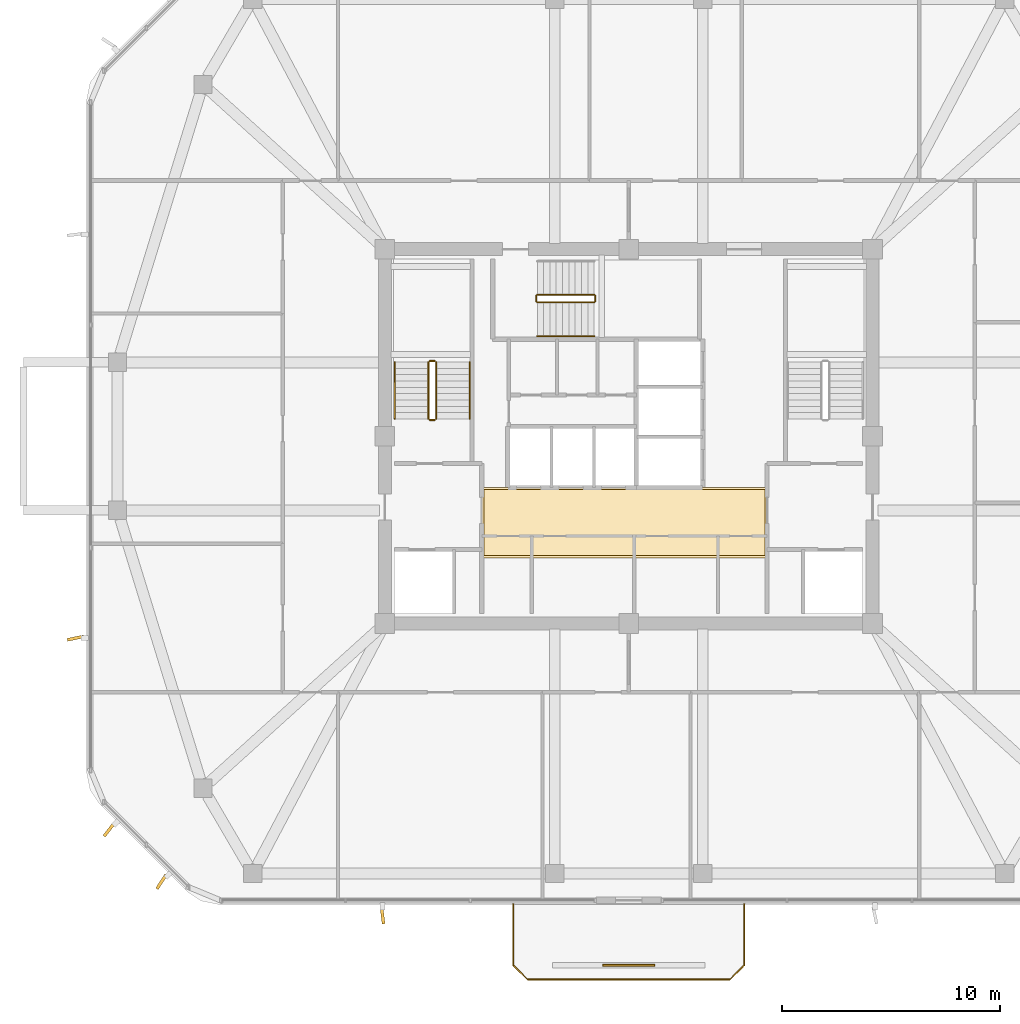
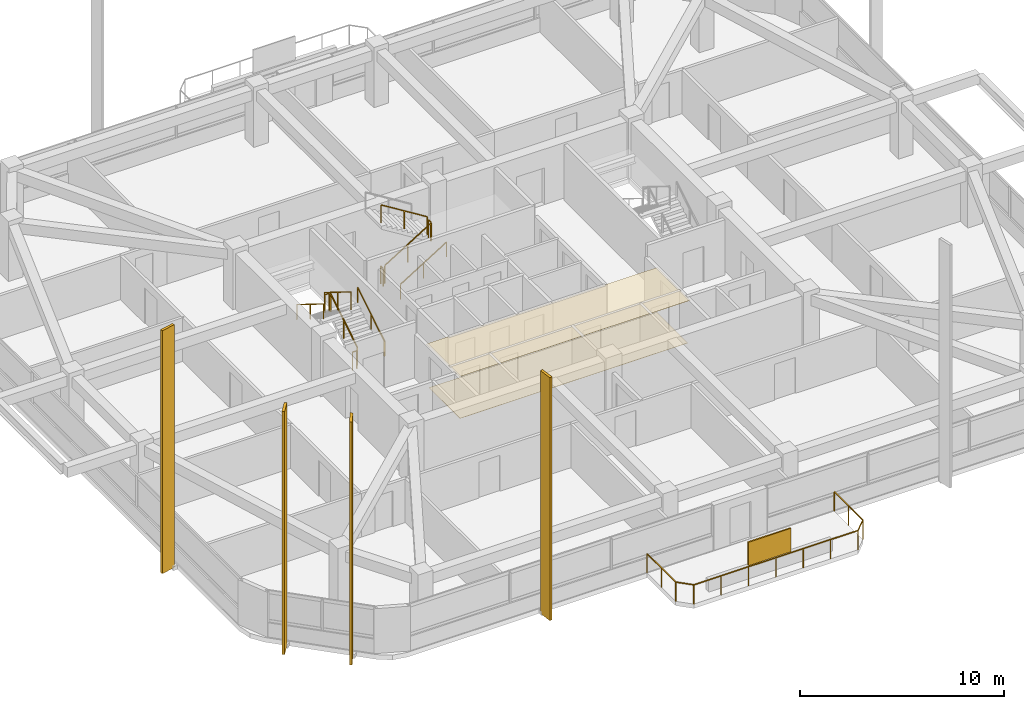
# One storey, part 11 of 13: 12 railings, 5 shading devices, 2 coverings.
"""IFC4 building model written with IfcOpenShell, lengths in metres."""

from ifc_helpers import new_model, si_unit, derived_unit, direction, frame, origin, origin_2d, place, context, subcontext, project, spatial, polyline, rectangle, outline, extrude, material, layer, layer_set, type_object, element, save


model = new_model("IFC4")

# Units and contexts
model_context = context("Model", 3, precision=1e-05, world=origin(), true_north=direction((0.0, 1.0)))
body_context = subcontext(model_context, "Body", "Model", "MODEL_VIEW")
ifc_project = project(units=[si_unit("LENGTHUNIT", "METRE"), si_unit("AREAUNIT", "SQUARE_METRE"), si_unit("VOLUMEUNIT", "CUBIC_METRE"), si_unit("PLANEANGLEUNIT", "RADIAN"), si_unit("MASSUNIT", "GRAM", prefix="KILO"), derived_unit("THERMALTRANSMITTANCEUNIT", [(si_unit("POWERUNIT", "WATT"), 1), (si_unit("LENGTHUNIT", "METRE"), -2), (si_unit("THERMODYNAMICTEMPERATUREUNIT", "KELVIN"), -1)])], contexts=[model_context])

# Site, building, storey
site_placement = place(None, origin())
site = spatial("IfcSite", under=ifc_project, at=site_placement, CompositionType="ELEMENT")
building_placement = place(site_placement, origin())
building = spatial("IfcBuilding", under=site, at=building_placement, Name="Koralith Skygarden Medical Center", CompositionType="ELEMENT")
storey_placement = place(building_placement, frame((0.0, 0.0, 253.6201171875)))
storey = spatial("IfcBuildingStorey", under=building, at=storey_placement, Name="L65", CompositionType="ELEMENT", Elevation=253.6201171875)

# Covering
ifc_material_1 = material(Name="Acoustic Mineral Tile")
ifc_layer_1 = layer(ifc_material_1, 0.02001953125)
ifc_layer_set_1 = layer_set([ifc_layer_1], Name="Acoustic Mineral Tile")
covering_type_1 = type_object("IfcCoveringType", Name="Acoustic Hygienic Mineral Ceiling 20", PredefinedType="CEILING", material=ifc_layer_set_1)
covering_1_placement = place(storey_placement, frame((0.0, 0.0, 2.5849609375)))
element("IfcCovering", 1, at=covering_1_placement, inside=storey, type_object=covering_type_1, Name="L65 Core Lobby Acoustic Ceiling", PredefinedType="CEILING", context=body_context, shape_type="SweptSolid", body=[
    extrude(outline(polyline([(30.25, 20.320068359375), (43.35009765625, 20.320068359375), (43.35009765625, 23.56005859375), (30.25, 23.56005859375), (30.25, 20.320068359375)])), origin(), (0.0, 0.0, 1.0), 0.02001953125),
])

# Shading devices
ifc_material_2 = material(Name="Aluminium 6063-T6", Category="aluminium")
shading_device_type_1 = type_object("IfcShadingDeviceType", Name="Limestone-Clad Solar Storm Fin 780", PredefinedType="USERDEFINED", material=ifc_material_2)
for number, where, z_axis, x_axis, name in (
    (2, (25.68994140625, 3.889892578125, -0.2001953125), (0.0, 0.0, 1.0), (0.123999814342, -0.992282241121, 0.0), "L65 S Harmonic Solar Storm Fin 1"),
    (3, (11.590087890625, 16.6298828125, -0.2001953125), (0.0, 0.0, 1.0), (-0.977936632473, -0.208901754101, 0.0), "L65 W Harmonic Solar Storm Fin 2"),
    (4, (13.139892578125, 7.837890625, -0.2001953125), (0.0, 0.0, 1.0), (-0.613968391961, -0.789330611134, 0.0), "L65 SW Harmonic Solar Storm Fin 1"),
    (5, (15.5380859375, 5.43994140625, -0.2001953125), (0.0, 0.0, 1.0), (-0.543789777466, -0.83922147132, 0.0), "L65 SW Harmonic Solar Storm Fin 2"),
):
    element("IfcShadingDevice", number, at=place(storey_placement, frame(where, z_axis=z_axis, x_axis=x_axis)), inside=storey, type_object=shading_device_type_1, Name=name, ObjectType="SOLAR FIN", PredefinedType="USERDEFINED", context=body_context, shape_type="SweptSolid", body=[
        extrude(rectangle(XDim=0.780029296875, YDim=0.139892578125, at=origin_2d()), origin(), (0.0, 0.0, 1.0), 14.550048828125),
    ])

# Railing
ifc_material_3 = material(Name="Steel ASTM A500 Grade C", Category="steel")
railing_type_1 = type_object("IfcRailingType", Name="Outdoor Terrace & Balcony Safety Guardrail 1180", PredefinedType="GUARDRAIL", material=ifc_material_3)
railing_1_placement = place(storey_placement, frame((31.699951171875, 4.39990234375, 0.0)))
element("IfcRailing", 6, at=railing_1_placement, inside=storey, type_object=railing_type_1, Name="L65 S Balcony Perimeter Guardrail", PredefinedType="GUARDRAIL", context=body_context, shape_type="SweptSolid", body=[
    extrude(rectangle(XDim=0.050048828125, YDim=0.050048828125, at=origin_2d()), frame((0.0, -0.001953125, 1.15478515625), z_axis=(0.0, -1.0, 0.0), x_axis=(1.0, 0.0, 0.0)), (0.0, 0.0, 1.0), 2.7958984375),
    extrude(rectangle(XDim=0.050048828125, YDim=0.050048828125, at=origin_2d()), frame((0.00146484375, -2.80126953125, 1.15478515625), z_axis=(0.707106781187, -0.707106781187, 0.0), x_axis=(0.707106781187, 0.707106781187, 0.0)), (0.0, 0.0, 1.0), 0.91552734375),
    extrude(rectangle(XDim=0.050048828125, YDim=0.050048828125, at=origin_2d()), frame((0.652099609375, -3.449951171875, 1.15478515625), z_axis=(1.0, 0.0, 0.0), x_axis=(0.0, 1.0, 0.0)), (0.0, 0.0, 1.0), 9.2958984375),
    extrude(rectangle(XDim=0.050048828125, YDim=0.050048828125, at=origin_2d()), frame((9.951416015625, -3.448486328125, 1.15478515625), z_axis=(0.707106781187, 0.707106781187, 0.0), x_axis=(-0.707106781187, 0.707106781187, 0.0)), (0.0, 0.0, 1.0), 0.91552734375),
    extrude(rectangle(XDim=0.050048828125, YDim=0.050048828125, at=origin_2d()), frame((10.60009765625, -2.7978515625, 1.15478515625), z_axis=(0.0, 1.0, 0.0), x_axis=(-1.0, 0.0, 0.0)), (0.0, 0.0, 1.0), 2.7958984375),
    extrude(rectangle(XDim=0.0419921875, YDim=0.0419921875, at=origin_2d()), origin(), (0.0, 0.0, 1.0), 1.1279296875),
    extrude(rectangle(XDim=0.0419921875, YDim=0.0419921875, at=origin_2d()), frame((0.0, -1.39990234375, 0.0)), (0.0, 0.0, 1.0), 1.1279296875),
    extrude(rectangle(XDim=0.0419921875, YDim=0.0419921875, at=origin_2d()), frame((0.0, -2.7998046875, 0.0)), (0.0, 0.0, 1.0), 1.1279296875),
    extrude(rectangle(XDim=0.0419921875, YDim=0.0419921875, at=origin_2d()), frame((0.650146484375, -3.449951171875, 0.0)), (0.0, 0.0, 1.0), 1.1279296875),
    extrude(rectangle(XDim=0.0419921875, YDim=0.0419921875, at=origin_2d()), frame((2.2001953125, -3.449951171875, 0.0)), (0.0, 0.0, 1.0), 1.1279296875),
    extrude(rectangle(XDim=0.0419921875, YDim=0.0419921875, at=origin_2d()), frame((3.75, -3.449951171875, 0.0)), (0.0, 0.0, 1.0), 1.1279296875),
    extrude(rectangle(XDim=0.0419921875, YDim=0.0419921875, at=origin_2d()), frame((5.300048828125, -3.449951171875, 0.0)), (0.0, 0.0, 1.0), 1.1279296875),
    extrude(rectangle(XDim=0.0419921875, YDim=0.0419921875, at=origin_2d()), frame((6.85009765625, -3.449951171875, 0.0)), (0.0, 0.0, 1.0), 1.1279296875),
    extrude(rectangle(XDim=0.0419921875, YDim=0.0419921875, at=origin_2d()), frame((8.39990234375, -3.449951171875, 0.0)), (0.0, 0.0, 1.0), 1.1279296875),
    extrude(rectangle(XDim=0.0419921875, YDim=0.0419921875, at=origin_2d()), frame((9.949951171875, -3.449951171875, 0.0)), (0.0, 0.0, 1.0), 1.1279296875),
    extrude(rectangle(XDim=0.0419921875, YDim=0.0419921875, at=origin_2d()), frame((10.60009765625, -2.7998046875, 0.0)), (0.0, 0.0, 1.0), 1.1279296875),
    extrude(rectangle(XDim=0.0419921875, YDim=0.0419921875, at=origin_2d()), frame((10.60009765625, -1.39990234375, 0.0)), (0.0, 0.0, 1.0), 1.1279296875),
    extrude(rectangle(XDim=0.0419921875, YDim=0.0419921875, at=origin_2d()), frame((10.60009765625, 0.0, 0.0)), (0.0, 0.0, 1.0), 1.1279296875),
])

# Shading device
ifc_layer_2 = layer(ifc_material_2, 0.080078125)
ifc_layer_set_2 = layer_set([ifc_layer_2], Name="Aluminium 6063-T6")
shading_device_type_2 = type_object("IfcShadingDeviceType", Name="Perforated Biophilic Balcony Trellis Screen", PredefinedType="USERDEFINED", material=ifc_layer_set_2)
shading_device_placement = place(storey_placement, frame((37.0, 1.60009765625, 0.719970703125), z_axis=(0.0, 0.0, 1.0), x_axis=(1.0, 0.0, 0.0)))
element("IfcShadingDevice", 7, at=shading_device_placement, inside=storey, type_object=shading_device_type_2, Name="L65 S Biophilic Balcony Trellis Screen", ObjectType="HURRICANE SCREEN", PredefinedType="USERDEFINED", context=body_context, shape_type="SweptSolid", body=[
    extrude(rectangle(XDim=2.39990234375, YDim=0.080078125, at=origin_2d()), origin(), (0.0, 0.0, 1.0), 1.39990234375),
])

# Covering
ifc_material_4 = material(Name="Medical Terrazzo Flooring")
ifc_layer_3 = layer(ifc_material_4, 0.014892578125)
ifc_layer_set_3 = layer_set([ifc_layer_3], Name="Medical Terrazzo Flooring")
covering_type_2 = type_object("IfcCoveringType", Name="Seamless Antimicrobial Terrazzo Flooring 15", PredefinedType="FLOORING", material=ifc_layer_set_3)
covering_2_placement = place(storey_placement, origin())
element("IfcCovering", 8, at=covering_2_placement, inside=storey, type_object=covering_type_2, Name="L65 Core Lobby Terrazzo Flooring", PredefinedType="FLOORING", context=body_context, shape_type="SweptSolid", body=[
    extrude(outline(polyline([(30.35009765625, 20.419921875), (43.25, 20.419921875), (43.25, 23.4599609375), (30.35009765625, 23.4599609375), (30.35009765625, 20.419921875)])), origin(), (0.0, 0.0, 1.0), 0.014892578125),
])

# Railings
railing_type_2 = type_object("IfcRailingType", Name="Stair Flight Tubular Handrail 920", PredefinedType="HANDRAIL", material=ifc_material_3)
railing_2_placement = place(storey_placement, frame((29.699951171875, 26.699951171875, 0.179931640625)))
element("IfcRailing", 9, at=railing_2_placement, inside=storey, type_object=railing_type_2, Name="L65 ST1 stair handrail 1", PredefinedType="HANDRAIL", context=body_context, shape_type="SweptSolid", body=[
    extrude(rectangle(XDim=0.050048828125, YDim=0.050048828125, at=origin_2d()), frame((0.0, 0.001708984375, 0.89599609375), z_axis=(0.0, 0.849668407637, 0.527317358963), x_axis=(-1.0, 0.0, 0.0)), (0.0, 0.0, 1.0), 3.06787109375),
    extrude(rectangle(XDim=0.0419921875, YDim=0.0419921875, at=origin_2d()), origin(), (0.0, 0.0, 1.0), 0.867919921875),
    extrude(rectangle(XDim=0.0419921875, YDim=0.0419921875, at=origin_2d()), frame((0.0, 1.30517578125, 0.81005859375)), (0.0, 0.0, 1.0), 0.867919921875),
    extrude(rectangle(XDim=0.0419921875, YDim=0.0419921875, at=origin_2d()), frame((0.0, 2.610107421875, 1.619873046875)), (0.0, 0.0, 1.0), 0.867919921875),
])
railing_3_placement = place(storey_placement, frame((26.25, 29.31005859375, 1.97998046875)))
element("IfcRailing", 10, at=railing_3_placement, inside=storey, type_object=railing_type_2, Name="L65 ST1 stair handrail 2", PredefinedType="HANDRAIL", context=body_context, shape_type="SweptSolid", body=[
    extrude(rectangle(XDim=0.050048828125, YDim=0.050048828125, at=origin_2d()), frame((0.0, -0.001708984375, 0.89599609375), z_axis=(0.0, -0.849668407637, 0.527317358963), x_axis=(1.0, 0.0, 0.0)), (0.0, 0.0, 1.0), 3.06787109375),
    extrude(rectangle(XDim=0.0419921875, YDim=0.0419921875, at=origin_2d()), origin(), (0.0, 0.0, 1.0), 0.867919921875),
    extrude(rectangle(XDim=0.0419921875, YDim=0.0419921875, at=origin_2d()), frame((0.0, -1.30517578125, 0.81005859375)), (0.0, 0.0, 1.0), 0.867919921875),
    extrude(rectangle(XDim=0.0419921875, YDim=0.0419921875, at=origin_2d()), frame((0.0, -2.610107421875, 1.619873046875)), (0.0, 0.0, 1.0), 0.867919921875),
])
railing_4_placement = place(storey_placement, frame((32.800048828125, 30.5, 0.179931640625)))
element("IfcRailing", 11, at=railing_4_placement, inside=storey, type_object=railing_type_2, Name="L65 ST3 stair handrail 1", PredefinedType="HANDRAIL", context=body_context, shape_type="SweptSolid", body=[
    extrude(rectangle(XDim=0.050048828125, YDim=0.050048828125, at=origin_2d()), frame((0.001708984375, 0.0, 0.89599609375), z_axis=(0.849646306263, 0.0, 0.527352969322), x_axis=(0.0, 1.0, 0.0)), (0.0, 0.0, 1.0), 3.067626953125),
    extrude(rectangle(XDim=0.0419921875, YDim=0.0419921875, at=origin_2d()), origin(), (0.0, 0.0, 1.0), 0.867919921875),
    extrude(rectangle(XDim=0.0419921875, YDim=0.0419921875, at=origin_2d()), frame((1.304931640625, 0.0, 0.81005859375)), (0.0, 0.0, 1.0), 0.867919921875),
    extrude(rectangle(XDim=0.0419921875, YDim=0.0419921875, at=origin_2d()), frame((2.60986328125, 0.0, 1.619873046875)), (0.0, 0.0, 1.0), 0.867919921875),
])
railing_type_3 = type_object("IfcRailingType", Name="Stair Well Safety Guardrail 1100", PredefinedType="GUARDRAIL", material=ifc_material_3)
railing_5_placement = place(storey_placement, frame((28.14990234375, 26.699951171875, 0.179931640625)))
element("IfcRailing", 12, at=railing_5_placement, inside=storey, type_object=railing_type_3, Name="L65 ST1 stair guard 1", PredefinedType="GUARDRAIL", context=body_context, shape_type="SweptSolid", body=[
    extrude(rectangle(XDim=0.050048828125, YDim=0.050048828125, at=origin_2d()), frame((0.0, 0.001708984375, 1.076171875), z_axis=(0.0, 0.849668407637, 0.527317358963), x_axis=(-1.0, 0.0, 0.0)), (0.0, 0.0, 1.0), 3.06787109375),
    extrude(rectangle(XDim=0.0419921875, YDim=0.0419921875, at=origin_2d()), origin(), (0.0, 0.0, 1.0), 1.048095703125),
    extrude(rectangle(XDim=0.0419921875, YDim=0.0419921875, at=origin_2d()), frame((0.0, 1.30517578125, 0.81005859375)), (0.0, 0.0, 1.0), 1.048095703125),
    extrude(rectangle(XDim=0.0419921875, YDim=0.0419921875, at=origin_2d()), frame((0.0, 2.610107421875, 1.619873046875)), (0.0, 0.0, 1.0), 1.048095703125),
])
railing_6_placement = place(storey_placement, frame((28.10009765625, 29.360107421875, 1.7998046875)))
element("IfcRailing", 13, at=railing_6_placement, inside=storey, type_object=railing_type_3, Name="L65 ST1 stair guard 2", PredefinedType="GUARDRAIL", context=body_context, shape_type="SweptSolid", body=[
    extrude(rectangle(XDim=0.050048828125, YDim=0.050048828125, at=origin_2d()), frame((-0.001953125, 0.0, 1.0751953125), z_axis=(-1.0, 0.0, 0.0), x_axis=(0.0, -1.0, 0.0)), (0.0, 0.0, 1.0), 0.24609375),
    extrude(rectangle(XDim=0.0419921875, YDim=0.0419921875, at=origin_2d()), origin(), (0.0, 0.0, 1.0), 1.048095703125),
    extrude(rectangle(XDim=0.0419921875, YDim=0.0419921875, at=origin_2d()), frame((-0.25, 0.0, 0.0)), (0.0, 0.0, 1.0), 1.048095703125),
])
railing_7_placement = place(storey_placement, frame((27.800048828125, 29.31005859375, 1.97998046875)))
element("IfcRailing", 14, at=railing_7_placement, inside=storey, type_object=railing_type_3, Name="L65 ST1 stair guard 3", PredefinedType="GUARDRAIL", context=body_context, shape_type="SweptSolid", body=[
    extrude(rectangle(XDim=0.050048828125, YDim=0.050048828125, at=origin_2d()), frame((0.0, -0.001708984375, 1.076171875), z_axis=(0.0, -0.849668407637, 0.527317358963), x_axis=(1.0, 0.0, 0.0)), (0.0, 0.0, 1.0), 3.06787109375),
    extrude(rectangle(XDim=0.0419921875, YDim=0.0419921875, at=origin_2d()), origin(), (0.0, 0.0, 1.0), 1.048095703125),
    extrude(rectangle(XDim=0.0419921875, YDim=0.0419921875, at=origin_2d()), frame((0.0, -1.30517578125, 0.81005859375)), (0.0, 0.0, 1.0), 1.048095703125),
    extrude(rectangle(XDim=0.0419921875, YDim=0.0419921875, at=origin_2d()), frame((0.0, -2.610107421875, 1.619873046875)), (0.0, 0.0, 1.0), 1.048095703125),
])
railing_8_placement = place(storey_placement, frame((28.10009765625, 26.64990234375, 0.0)))
element("IfcRailing", 15, at=railing_8_placement, inside=storey, type_object=railing_type_3, Name="L65 ST1 stair guard 4", PredefinedType="GUARDRAIL", context=body_context, shape_type="SweptSolid", body=[
    extrude(rectangle(XDim=0.050048828125, YDim=0.050048828125, at=origin_2d()), frame((-0.001953125, 0.0, 1.0751953125), z_axis=(-1.0, 0.0, 0.0), x_axis=(0.0, -1.0, 0.0)), (0.0, 0.0, 1.0), 0.24609375),
    extrude(rectangle(XDim=0.0419921875, YDim=0.0419921875, at=origin_2d()), origin(), (0.0, 0.0, 1.0), 1.048095703125),
    extrude(rectangle(XDim=0.0419921875, YDim=0.0419921875, at=origin_2d()), frame((-0.25, 0.0, 0.0)), (0.0, 0.0, 1.0), 1.048095703125),
])
railing_9_placement = place(storey_placement, frame((32.800048828125, 32.050048828125, 0.179931640625)))
element("IfcRailing", 16, at=railing_9_placement, inside=storey, type_object=railing_type_3, Name="L65 ST3 stair guard 1", PredefinedType="GUARDRAIL", context=body_context, shape_type="SweptSolid", body=[
    extrude(rectangle(XDim=0.050048828125, YDim=0.050048828125, at=origin_2d()), frame((0.001708984375, 0.0, 1.076171875), z_axis=(0.849646306263, 0.0, 0.527352969322), x_axis=(0.0, 1.0, 0.0)), (0.0, 0.0, 1.0), 3.067626953125),
    extrude(rectangle(XDim=0.0419921875, YDim=0.0419921875, at=origin_2d()), origin(), (0.0, 0.0, 1.0), 1.048095703125),
    extrude(rectangle(XDim=0.0419921875, YDim=0.0419921875, at=origin_2d()), frame((1.304931640625, 0.0, 0.81005859375)), (0.0, 0.0, 1.0), 1.048095703125),
    extrude(rectangle(XDim=0.0419921875, YDim=0.0419921875, at=origin_2d()), frame((2.60986328125, 0.0, 1.619873046875)), (0.0, 0.0, 1.0), 1.048095703125),
])
railing_10_placement = place(storey_placement, frame((35.4599609375, 32.10009765625, 1.7998046875)))
element("IfcRailing", 17, at=railing_10_placement, inside=storey, type_object=railing_type_3, Name="L65 ST3 stair guard 2", PredefinedType="GUARDRAIL", context=body_context, shape_type="SweptSolid", body=[
    extrude(rectangle(XDim=0.050048828125, YDim=0.050048828125, at=origin_2d()), frame((0.0, 0.001953125, 1.0751953125), z_axis=(0.0, 1.0, 0.0), x_axis=(-1.0, 0.0, 0.0)), (0.0, 0.0, 1.0), 0.24609375),
    extrude(rectangle(XDim=0.0419921875, YDim=0.0419921875, at=origin_2d()), origin(), (0.0, 0.0, 1.0), 1.048095703125),
    extrude(rectangle(XDim=0.0419921875, YDim=0.0419921875, at=origin_2d()), frame((0.0, 0.25, 0.0)), (0.0, 0.0, 1.0), 1.048095703125),
])
railing_11_placement = place(storey_placement, frame((35.409912109375, 32.39990234375, 1.97998046875)))
element("IfcRailing", 18, at=railing_11_placement, inside=storey, type_object=railing_type_3, Name="L65 ST3 stair guard 3", PredefinedType="GUARDRAIL", context=body_context, shape_type="SweptSolid", body=[
    extrude(rectangle(XDim=0.050048828125, YDim=0.050048828125, at=origin_2d()), frame((-0.001708984375, 0.0, 1.076171875), z_axis=(-0.849646306263, 0.0, 0.527352969322), x_axis=(0.0, -1.0, 0.0)), (0.0, 0.0, 1.0), 3.067626953125),
    extrude(rectangle(XDim=0.0419921875, YDim=0.0419921875, at=origin_2d()), origin(), (0.0, 0.0, 1.0), 1.048095703125),
    extrude(rectangle(XDim=0.0419921875, YDim=0.0419921875, at=origin_2d()), frame((-1.304931640625, 0.0, 0.81005859375)), (0.0, 0.0, 1.0), 1.048095703125),
    extrude(rectangle(XDim=0.0419921875, YDim=0.0419921875, at=origin_2d()), frame((-2.60986328125, 0.0, 1.619873046875)), (0.0, 0.0, 1.0), 1.048095703125),
])
railing_12_placement = place(storey_placement, frame((32.75, 32.10009765625, 0.0)))
element("IfcRailing", 19, at=railing_12_placement, inside=storey, type_object=railing_type_3, Name="L65 ST3 stair guard 4", PredefinedType="GUARDRAIL", context=body_context, shape_type="SweptSolid", body=[
    extrude(rectangle(XDim=0.050048828125, YDim=0.050048828125, at=origin_2d()), frame((0.0, 0.001953125, 1.0751953125), z_axis=(0.0, 1.0, 0.0), x_axis=(-1.0, 0.0, 0.0)), (0.0, 0.0, 1.0), 0.24609375),
    extrude(rectangle(XDim=0.0419921875, YDim=0.0419921875, at=origin_2d()), origin(), (0.0, 0.0, 1.0), 1.048095703125),
    extrude(rectangle(XDim=0.0419921875, YDim=0.0419921875, at=origin_2d()), frame((0.0, 0.25, 0.0)), (0.0, 0.0, 1.0), 1.048095703125),
])

save(model, "model.ifc")
